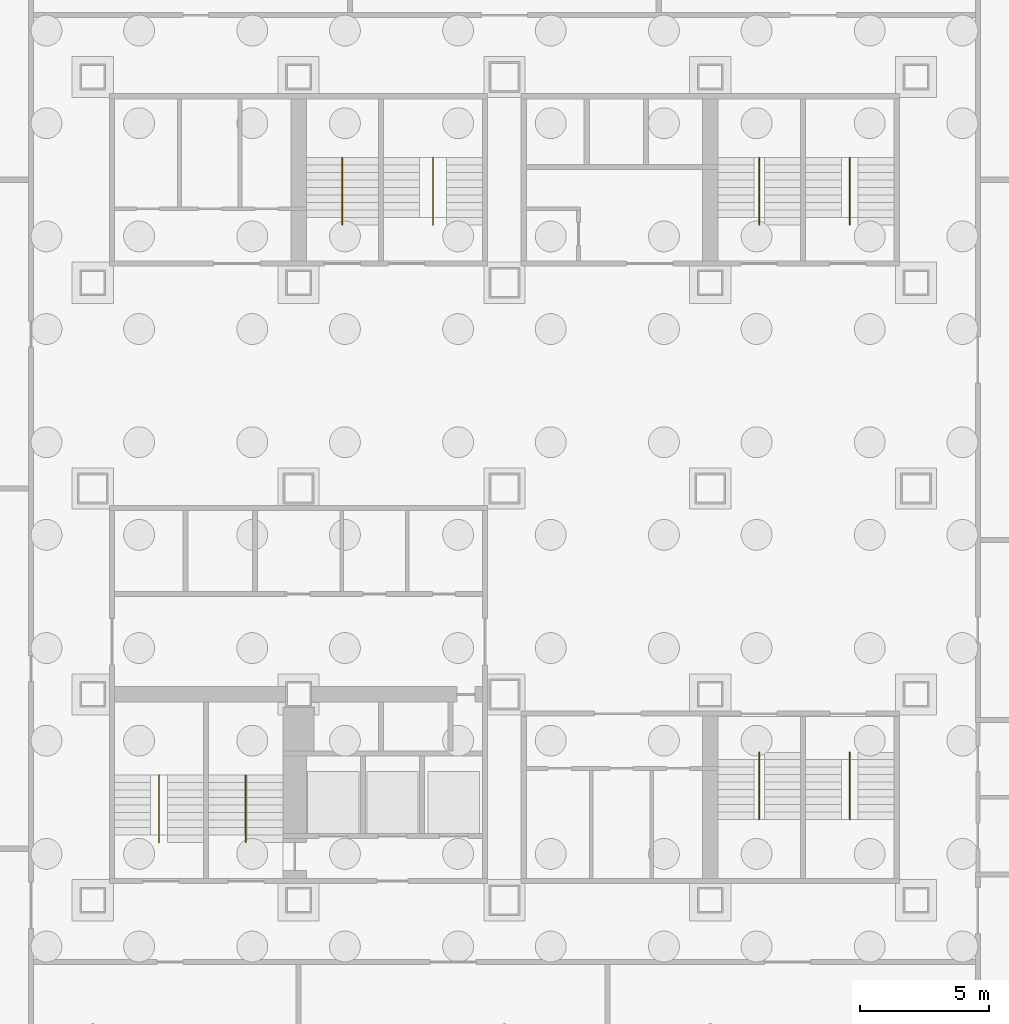
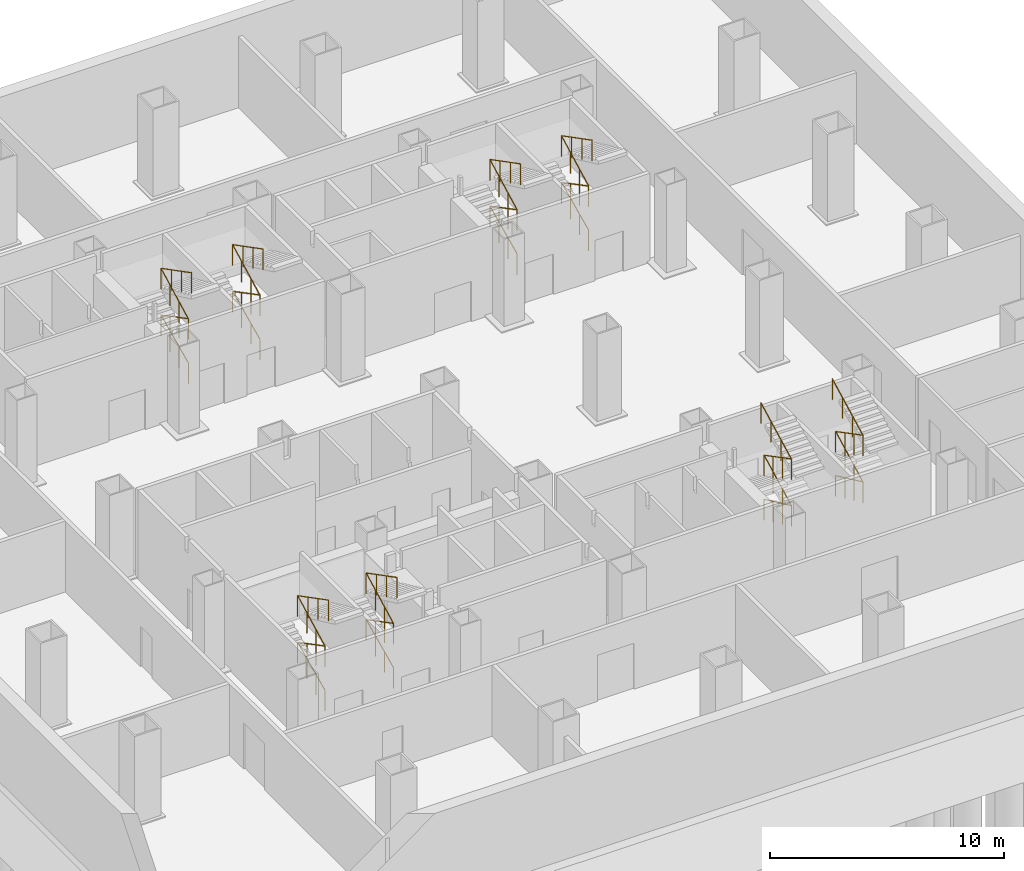
# One storey, part 8 of 9: 8 railings.
"""IFC4 building model written with IfcOpenShell, lengths in metres."""

from ifc_helpers import new_model, si_unit, direction, frame, origin, origin_2d, place, context, subcontext, project, spatial, circle, extrude, material, type_object, element, save


model = new_model("IFC4")

# Units and contexts
model_context = context("Model", 3, precision=1e-05, world=origin(), true_north=direction((0.0, 1.0)))
body_context = subcontext(model_context, "Body", "Model", "MODEL_VIEW")
ifc_project = project(units=[si_unit("LENGTHUNIT", "METRE"), si_unit("AREAUNIT", "SQUARE_METRE"), si_unit("VOLUMEUNIT", "CUBIC_METRE"), si_unit("PLANEANGLEUNIT", "RADIAN"), si_unit("MASSUNIT", "GRAM", prefix="KILO")], contexts=[model_context])

# Site, building, storey
site_placement = place(None, origin())
site = spatial("IfcSite", under=ifc_project, at=site_placement, CompositionType="ELEMENT")
building_placement = place(site_placement, origin())
building = spatial("IfcBuilding", under=site, at=building_placement, Name="Immortelle Media Tower", CompositionType="ELEMENT")
storey_placement = place(building_placement, frame((0.0, 0.0, -5.0)))
storey = spatial("IfcBuildingStorey", under=building, at=storey_placement, Name="B1", CompositionType="ELEMENT", Elevation=-5.0)

# Railings
ifc_material = material(Name="Stainless steel AISI 316", Category="steel")
railing_type = type_object("IfcRailingType", Name="Stair guard 1100", PredefinedType="GUARDRAIL", material=ifc_material)
railing_1_placement = place(storey_placement, frame((10.574951171875, 10.5400390625, 0.13525390625)))
element("IfcRailing", 1, at=railing_1_placement, inside=storey, type_object=railing_type, Name="Stair guard SW1", PredefinedType="GUARDRAIL", context=body_context, shape_type="SweptSolid", body=[
    extrude(circle(Radius=0.02392578125, at=origin_2d()), frame((0.0, 0.0, 1.076171875), z_axis=(0.0, 0.906429103724, 0.422357999715), x_axis=(-1.0, 0.0, 0.0)), (0.0, 0.0, 1.0), 2.5595703125),
    extrude(circle(Radius=0.02392578125, at=origin_2d()), frame((0.0, 2.320068359375, 2.1572265625), z_axis=(0.0, -0.885707454171, 0.464243799771), x_axis=(1.0, 0.0, 0.0)), (0.0, 0.0, 1.0), 2.619384765625),
    extrude(circle(Radius=0.02392578125, at=origin_2d()), frame((0.0, 0.0, 3.373046875), z_axis=(0.0, 0.88566912924, 0.464316910646), x_axis=(-1.0, 0.0, 0.0)), (0.0, 0.0, 1.0), 2.61962890625),
    extrude(circle(Radius=0.02392578125, at=origin_2d()), frame((0.0, 2.320068359375, 4.58935546875), z_axis=(0.0, -0.888042254785, 0.459761844564), x_axis=(1.0, 0.0, 0.0)), (0.0, 0.0, 1.0), 2.939208984375),
    extrude(circle(Radius=0.02099609375, at=origin_2d()), origin(), (0.0, 0.0, 1.0), 1.052001953125),
    extrude(circle(Radius=0.02099609375, at=origin_2d()), frame((0.0, 0.7734375, 0.3603515625)), (0.0, 0.0, 1.0), 1.052001953125),
    extrude(circle(Radius=0.02099609375, at=origin_2d()), frame((0.0, 1.546630859375, 0.720703125)), (0.0, 0.0, 1.0), 1.052001953125),
    extrude(circle(Radius=0.02099609375, at=origin_2d()), frame((0.0, 2.320068359375, 1.0810546875)), (0.0, 0.0, 1.0), 1.052001953125),
    extrude(circle(Radius=0.02099609375, at=origin_2d()), frame((0.0, 1.546630859375, 1.486328125)), (0.0, 0.0, 1.0), 1.052001953125),
    extrude(circle(Radius=0.02099609375, at=origin_2d()), frame((0.0, 0.7734375, 1.891845703125)), (0.0, 0.0, 1.0), 1.052001953125),
    extrude(circle(Radius=0.02099609375, at=origin_2d()), frame((0.0, 0.0, 2.297119140625)), (0.0, 0.0, 1.0), 1.052001953125),
    extrude(circle(Radius=0.02099609375, at=origin_2d()), frame((0.0, 0.7734375, 2.70263671875)), (0.0, 0.0, 1.0), 1.052001953125),
    extrude(circle(Radius=0.02099609375, at=origin_2d()), frame((0.0, 1.546630859375, 3.10791015625)), (0.0, 0.0, 1.0), 1.052001953125),
    extrude(circle(Radius=0.02099609375, at=origin_2d()), frame((0.0, 2.320068359375, 3.513427734375)), (0.0, 0.0, 1.0), 1.052001953125),
    extrude(circle(Radius=0.02099609375, at=origin_2d()), frame((0.0, 1.449951171875, 3.9638671875)), (0.0, 0.0, 1.0), 1.052001953125),
    extrude(circle(Radius=0.02099609375, at=origin_2d()), frame((0.0, 0.580078125, 4.414306640625)), (0.0, 0.0, 1.0), 1.052001953125),
    extrude(circle(Radius=0.02099609375, at=origin_2d()), frame((0.0, -0.2900390625, 4.86474609375)), (0.0, 0.0, 1.0), 1.052001953125),
])
railing_2_placement = place(storey_placement, frame((13.949951171875, 10.5400390625, 0.13525390625)))
element("IfcRailing", 2, at=railing_2_placement, inside=storey, type_object=railing_type, Name="Stair guard SW2", PredefinedType="GUARDRAIL", context=body_context, shape_type="SweptSolid", body=[
    extrude(circle(Radius=0.02392578125, at=origin_2d()), frame((0.0, 0.0, 1.076171875), z_axis=(0.0, 0.906429103724, 0.422357999715), x_axis=(-1.0, 0.0, 0.0)), (0.0, 0.0, 1.0), 2.5595703125),
    extrude(circle(Radius=0.02392578125, at=origin_2d()), frame((0.0, 2.320068359375, 2.1572265625), z_axis=(0.0, -0.885707454171, 0.464243799771), x_axis=(1.0, 0.0, 0.0)), (0.0, 0.0, 1.0), 2.619384765625),
    extrude(circle(Radius=0.02392578125, at=origin_2d()), frame((0.0, 0.0, 3.373046875), z_axis=(0.0, 0.88566912924, 0.464316910646), x_axis=(-1.0, 0.0, 0.0)), (0.0, 0.0, 1.0), 2.61962890625),
    extrude(circle(Radius=0.02392578125, at=origin_2d()), frame((0.0, 2.320068359375, 4.58935546875), z_axis=(0.0, -0.888042254785, 0.459761844564), x_axis=(1.0, 0.0, 0.0)), (0.0, 0.0, 1.0), 2.939208984375),
    extrude(circle(Radius=0.02099609375, at=origin_2d()), origin(), (0.0, 0.0, 1.0), 1.052001953125),
    extrude(circle(Radius=0.02099609375, at=origin_2d()), frame((0.0, 0.7734375, 0.3603515625)), (0.0, 0.0, 1.0), 1.052001953125),
    extrude(circle(Radius=0.02099609375, at=origin_2d()), frame((0.0, 1.546630859375, 0.720703125)), (0.0, 0.0, 1.0), 1.052001953125),
    extrude(circle(Radius=0.02099609375, at=origin_2d()), frame((0.0, 2.320068359375, 1.0810546875)), (0.0, 0.0, 1.0), 1.052001953125),
    extrude(circle(Radius=0.02099609375, at=origin_2d()), frame((0.0, 1.546630859375, 1.486328125)), (0.0, 0.0, 1.0), 1.052001953125),
    extrude(circle(Radius=0.02099609375, at=origin_2d()), frame((0.0, 0.7734375, 1.891845703125)), (0.0, 0.0, 1.0), 1.052001953125),
    extrude(circle(Radius=0.02099609375, at=origin_2d()), frame((0.0, 0.0, 2.297119140625)), (0.0, 0.0, 1.0), 1.052001953125),
    extrude(circle(Radius=0.02099609375, at=origin_2d()), frame((0.0, 0.7734375, 2.70263671875)), (0.0, 0.0, 1.0), 1.052001953125),
    extrude(circle(Radius=0.02099609375, at=origin_2d()), frame((0.0, 1.546630859375, 3.10791015625)), (0.0, 0.0, 1.0), 1.052001953125),
    extrude(circle(Radius=0.02099609375, at=origin_2d()), frame((0.0, 2.320068359375, 3.513427734375)), (0.0, 0.0, 1.0), 1.052001953125),
    extrude(circle(Radius=0.02099609375, at=origin_2d()), frame((0.0, 1.449951171875, 3.9638671875)), (0.0, 0.0, 1.0), 1.052001953125),
    extrude(circle(Radius=0.02099609375, at=origin_2d()), frame((0.0, 0.580078125, 4.414306640625)), (0.0, 0.0, 1.0), 1.052001953125),
    extrude(circle(Radius=0.02099609375, at=origin_2d()), frame((0.0, -0.2900390625, 4.86474609375)), (0.0, 0.0, 1.0), 1.052001953125),
])
railing_3_placement = place(storey_placement, frame((33.89990234375, 13.4599609375, 0.13525390625)))
element("IfcRailing", 3, at=railing_3_placement, inside=storey, type_object=railing_type, Name="Stair guard SE1", PredefinedType="GUARDRAIL", context=body_context, shape_type="SweptSolid", body=[
    extrude(circle(Radius=0.02392578125, at=origin_2d()), frame((0.0, 0.0, 1.076171875), z_axis=(0.0, -0.906429103724, 0.422357999715), x_axis=(1.0, 0.0, 0.0)), (0.0, 0.0, 1.0), 2.5595703125),
    extrude(circle(Radius=0.02392578125, at=origin_2d()), frame((0.0, -2.320068359375, 2.1572265625), z_axis=(0.0, 0.885707454171, 0.464243799771), x_axis=(-1.0, 0.0, 0.0)), (0.0, 0.0, 1.0), 2.619384765625),
    extrude(circle(Radius=0.02392578125, at=origin_2d()), frame((0.0, 0.0, 3.373046875), z_axis=(0.0, -0.88566912924, 0.464316910646), x_axis=(1.0, 0.0, 0.0)), (0.0, 0.0, 1.0), 2.61962890625),
    extrude(circle(Radius=0.02392578125, at=origin_2d()), frame((0.0, -2.320068359375, 4.58935546875), z_axis=(0.0, 0.888042254785, 0.459761844564), x_axis=(-1.0, 0.0, 0.0)), (0.0, 0.0, 1.0), 2.939208984375),
    extrude(circle(Radius=0.02099609375, at=origin_2d()), origin(), (0.0, 0.0, 1.0), 1.052001953125),
    extrude(circle(Radius=0.02099609375, at=origin_2d()), frame((0.0, -0.7734375, 0.3603515625)), (0.0, 0.0, 1.0), 1.052001953125),
    extrude(circle(Radius=0.02099609375, at=origin_2d()), frame((0.0, -1.546630859375, 0.720703125)), (0.0, 0.0, 1.0), 1.052001953125),
    extrude(circle(Radius=0.02099609375, at=origin_2d()), frame((0.0, -2.320068359375, 1.0810546875)), (0.0, 0.0, 1.0), 1.052001953125),
    extrude(circle(Radius=0.02099609375, at=origin_2d()), frame((0.0, -1.546630859375, 1.486328125)), (0.0, 0.0, 1.0), 1.052001953125),
    extrude(circle(Radius=0.02099609375, at=origin_2d()), frame((0.0, -0.7734375, 1.891845703125)), (0.0, 0.0, 1.0), 1.052001953125),
    extrude(circle(Radius=0.02099609375, at=origin_2d()), frame((0.0, 0.0, 2.297119140625)), (0.0, 0.0, 1.0), 1.052001953125),
    extrude(circle(Radius=0.02099609375, at=origin_2d()), frame((0.0, -0.7734375, 2.70263671875)), (0.0, 0.0, 1.0), 1.052001953125),
    extrude(circle(Radius=0.02099609375, at=origin_2d()), frame((0.0, -1.546630859375, 3.10791015625)), (0.0, 0.0, 1.0), 1.052001953125),
    extrude(circle(Radius=0.02099609375, at=origin_2d()), frame((0.0, -2.320068359375, 3.513427734375)), (0.0, 0.0, 1.0), 1.052001953125),
    extrude(circle(Radius=0.02099609375, at=origin_2d()), frame((0.0, -1.449951171875, 3.9638671875)), (0.0, 0.0, 1.0), 1.052001953125),
    extrude(circle(Radius=0.02099609375, at=origin_2d()), frame((0.0, -0.580078125, 4.414306640625)), (0.0, 0.0, 1.0), 1.052001953125),
    extrude(circle(Radius=0.02099609375, at=origin_2d()), frame((0.0, 0.2900390625, 4.86474609375)), (0.0, 0.0, 1.0), 1.052001953125),
])
railing_4_placement = place(storey_placement, frame((37.425048828125, 13.4599609375, 0.13525390625)))
element("IfcRailing", 4, at=railing_4_placement, inside=storey, type_object=railing_type, Name="Stair guard SE2", PredefinedType="GUARDRAIL", context=body_context, shape_type="SweptSolid", body=[
    extrude(circle(Radius=0.02392578125, at=origin_2d()), frame((0.0, 0.0, 1.076171875), z_axis=(0.0, -0.906429103724, 0.422357999715), x_axis=(1.0, 0.0, 0.0)), (0.0, 0.0, 1.0), 2.5595703125),
    extrude(circle(Radius=0.02392578125, at=origin_2d()), frame((0.0, -2.320068359375, 2.1572265625), z_axis=(0.0, 0.885707454171, 0.464243799771), x_axis=(-1.0, 0.0, 0.0)), (0.0, 0.0, 1.0), 2.619384765625),
    extrude(circle(Radius=0.02392578125, at=origin_2d()), frame((0.0, 0.0, 3.373046875), z_axis=(0.0, -0.88566912924, 0.464316910646), x_axis=(1.0, 0.0, 0.0)), (0.0, 0.0, 1.0), 2.61962890625),
    extrude(circle(Radius=0.02392578125, at=origin_2d()), frame((0.0, -2.320068359375, 4.58935546875), z_axis=(0.0, 0.888042254785, 0.459761844564), x_axis=(-1.0, 0.0, 0.0)), (0.0, 0.0, 1.0), 2.939208984375),
    extrude(circle(Radius=0.02099609375, at=origin_2d()), origin(), (0.0, 0.0, 1.0), 1.052001953125),
    extrude(circle(Radius=0.02099609375, at=origin_2d()), frame((0.0, -0.7734375, 0.3603515625)), (0.0, 0.0, 1.0), 1.052001953125),
    extrude(circle(Radius=0.02099609375, at=origin_2d()), frame((0.0, -1.546630859375, 0.720703125)), (0.0, 0.0, 1.0), 1.052001953125),
    extrude(circle(Radius=0.02099609375, at=origin_2d()), frame((0.0, -2.320068359375, 1.0810546875)), (0.0, 0.0, 1.0), 1.052001953125),
    extrude(circle(Radius=0.02099609375, at=origin_2d()), frame((0.0, -1.546630859375, 1.486328125)), (0.0, 0.0, 1.0), 1.052001953125),
    extrude(circle(Radius=0.02099609375, at=origin_2d()), frame((0.0, -0.7734375, 1.891845703125)), (0.0, 0.0, 1.0), 1.052001953125),
    extrude(circle(Radius=0.02099609375, at=origin_2d()), frame((0.0, 0.0, 2.297119140625)), (0.0, 0.0, 1.0), 1.052001953125),
    extrude(circle(Radius=0.02099609375, at=origin_2d()), frame((0.0, -0.7734375, 2.70263671875)), (0.0, 0.0, 1.0), 1.052001953125),
    extrude(circle(Radius=0.02099609375, at=origin_2d()), frame((0.0, -1.546630859375, 3.10791015625)), (0.0, 0.0, 1.0), 1.052001953125),
    extrude(circle(Radius=0.02099609375, at=origin_2d()), frame((0.0, -2.320068359375, 3.513427734375)), (0.0, 0.0, 1.0), 1.052001953125),
    extrude(circle(Radius=0.02099609375, at=origin_2d()), frame((0.0, -1.449951171875, 3.9638671875)), (0.0, 0.0, 1.0), 1.052001953125),
    extrude(circle(Radius=0.02099609375, at=origin_2d()), frame((0.0, -0.580078125, 4.414306640625)), (0.0, 0.0, 1.0), 1.052001953125),
    extrude(circle(Radius=0.02099609375, at=origin_2d()), frame((0.0, 0.2900390625, 4.86474609375)), (0.0, 0.0, 1.0), 1.052001953125),
])
railing_5_placement = place(storey_placement, frame((17.699951171875, 34.5400390625, 0.13525390625)))
element("IfcRailing", 5, at=railing_5_placement, inside=storey, type_object=railing_type, Name="Stair guard NW1", PredefinedType="GUARDRAIL", context=body_context, shape_type="SweptSolid", body=[
    extrude(circle(Radius=0.02392578125, at=origin_2d()), frame((0.0, 0.0, 1.076171875), z_axis=(0.0, 0.906429103724, 0.422357999715), x_axis=(-1.0, 0.0, 0.0)), (0.0, 0.0, 1.0), 2.5595703125),
    extrude(circle(Radius=0.02392578125, at=origin_2d()), frame((0.0, 2.320068359375, 2.1572265625), z_axis=(0.0, -0.885707454171, 0.464243799771), x_axis=(1.0, 0.0, 0.0)), (0.0, 0.0, 1.0), 2.619384765625),
    extrude(circle(Radius=0.02392578125, at=origin_2d()), frame((0.0, 0.0, 3.373046875), z_axis=(0.0, 0.88566912924, 0.464316910646), x_axis=(-1.0, 0.0, 0.0)), (0.0, 0.0, 1.0), 2.61962890625),
    extrude(circle(Radius=0.02392578125, at=origin_2d()), frame((0.0, 2.320068359375, 4.58935546875), z_axis=(0.0, -0.888042254785, 0.459761844564), x_axis=(1.0, 0.0, 0.0)), (0.0, 0.0, 1.0), 2.939208984375),
    extrude(circle(Radius=0.02099609375, at=origin_2d()), origin(), (0.0, 0.0, 1.0), 1.052001953125),
    extrude(circle(Radius=0.02099609375, at=origin_2d()), frame((0.0, 0.7734375, 0.3603515625)), (0.0, 0.0, 1.0), 1.052001953125),
    extrude(circle(Radius=0.02099609375, at=origin_2d()), frame((0.0, 1.546630859375, 0.720703125)), (0.0, 0.0, 1.0), 1.052001953125),
    extrude(circle(Radius=0.02099609375, at=origin_2d()), frame((0.0, 2.320068359375, 1.0810546875)), (0.0, 0.0, 1.0), 1.052001953125),
    extrude(circle(Radius=0.02099609375, at=origin_2d()), frame((0.0, 1.546630859375, 1.486328125)), (0.0, 0.0, 1.0), 1.052001953125),
    extrude(circle(Radius=0.02099609375, at=origin_2d()), frame((0.0, 0.7734375, 1.891845703125)), (0.0, 0.0, 1.0), 1.052001953125),
    extrude(circle(Radius=0.02099609375, at=origin_2d()), frame((0.0, 0.0, 2.297119140625)), (0.0, 0.0, 1.0), 1.052001953125),
    extrude(circle(Radius=0.02099609375, at=origin_2d()), frame((0.0, 0.7734375, 2.70263671875)), (0.0, 0.0, 1.0), 1.052001953125),
    extrude(circle(Radius=0.02099609375, at=origin_2d()), frame((0.0, 1.546630859375, 3.10791015625)), (0.0, 0.0, 1.0), 1.052001953125),
    extrude(circle(Radius=0.02099609375, at=origin_2d()), frame((0.0, 2.320068359375, 3.513427734375)), (0.0, 0.0, 1.0), 1.052001953125),
    extrude(circle(Radius=0.02099609375, at=origin_2d()), frame((0.0, 1.449951171875, 3.9638671875)), (0.0, 0.0, 1.0), 1.052001953125),
    extrude(circle(Radius=0.02099609375, at=origin_2d()), frame((0.0, 0.580078125, 4.414306640625)), (0.0, 0.0, 1.0), 1.052001953125),
    extrude(circle(Radius=0.02099609375, at=origin_2d()), frame((0.0, -0.2900390625, 4.86474609375)), (0.0, 0.0, 1.0), 1.052001953125),
])
railing_6_placement = place(storey_placement, frame((21.22509765625, 34.5400390625, 0.13525390625)))
element("IfcRailing", 6, at=railing_6_placement, inside=storey, type_object=railing_type, Name="Stair guard NW2", PredefinedType="GUARDRAIL", context=body_context, shape_type="SweptSolid", body=[
    extrude(circle(Radius=0.02392578125, at=origin_2d()), frame((0.0, 0.0, 1.076171875), z_axis=(0.0, 0.906429103724, 0.422357999715), x_axis=(-1.0, 0.0, 0.0)), (0.0, 0.0, 1.0), 2.5595703125),
    extrude(circle(Radius=0.02392578125, at=origin_2d()), frame((0.0, 2.320068359375, 2.1572265625), z_axis=(0.0, -0.885707454171, 0.464243799771), x_axis=(1.0, 0.0, 0.0)), (0.0, 0.0, 1.0), 2.619384765625),
    extrude(circle(Radius=0.02392578125, at=origin_2d()), frame((0.0, 0.0, 3.373046875), z_axis=(0.0, 0.88566912924, 0.464316910646), x_axis=(-1.0, 0.0, 0.0)), (0.0, 0.0, 1.0), 2.61962890625),
    extrude(circle(Radius=0.02392578125, at=origin_2d()), frame((0.0, 2.320068359375, 4.58935546875), z_axis=(0.0, -0.888042254785, 0.459761844564), x_axis=(1.0, 0.0, 0.0)), (0.0, 0.0, 1.0), 2.939208984375),
    extrude(circle(Radius=0.02099609375, at=origin_2d()), origin(), (0.0, 0.0, 1.0), 1.052001953125),
    extrude(circle(Radius=0.02099609375, at=origin_2d()), frame((0.0, 0.7734375, 0.3603515625)), (0.0, 0.0, 1.0), 1.052001953125),
    extrude(circle(Radius=0.02099609375, at=origin_2d()), frame((0.0, 1.546630859375, 0.720703125)), (0.0, 0.0, 1.0), 1.052001953125),
    extrude(circle(Radius=0.02099609375, at=origin_2d()), frame((0.0, 2.320068359375, 1.0810546875)), (0.0, 0.0, 1.0), 1.052001953125),
    extrude(circle(Radius=0.02099609375, at=origin_2d()), frame((0.0, 1.546630859375, 1.486328125)), (0.0, 0.0, 1.0), 1.052001953125),
    extrude(circle(Radius=0.02099609375, at=origin_2d()), frame((0.0, 0.7734375, 1.891845703125)), (0.0, 0.0, 1.0), 1.052001953125),
    extrude(circle(Radius=0.02099609375, at=origin_2d()), frame((0.0, 0.0, 2.297119140625)), (0.0, 0.0, 1.0), 1.052001953125),
    extrude(circle(Radius=0.02099609375, at=origin_2d()), frame((0.0, 0.7734375, 2.70263671875)), (0.0, 0.0, 1.0), 1.052001953125),
    extrude(circle(Radius=0.02099609375, at=origin_2d()), frame((0.0, 1.546630859375, 3.10791015625)), (0.0, 0.0, 1.0), 1.052001953125),
    extrude(circle(Radius=0.02099609375, at=origin_2d()), frame((0.0, 2.320068359375, 3.513427734375)), (0.0, 0.0, 1.0), 1.052001953125),
    extrude(circle(Radius=0.02099609375, at=origin_2d()), frame((0.0, 1.449951171875, 3.9638671875)), (0.0, 0.0, 1.0), 1.052001953125),
    extrude(circle(Radius=0.02099609375, at=origin_2d()), frame((0.0, 0.580078125, 4.414306640625)), (0.0, 0.0, 1.0), 1.052001953125),
    extrude(circle(Radius=0.02099609375, at=origin_2d()), frame((0.0, -0.2900390625, 4.86474609375)), (0.0, 0.0, 1.0), 1.052001953125),
])
railing_7_placement = place(storey_placement, frame((33.89990234375, 34.5400390625, 0.13525390625)))
element("IfcRailing", 7, at=railing_7_placement, inside=storey, type_object=railing_type, Name="Stair guard NE1", PredefinedType="GUARDRAIL", context=body_context, shape_type="SweptSolid", body=[
    extrude(circle(Radius=0.02392578125, at=origin_2d()), frame((0.0, 0.0, 1.076171875), z_axis=(0.0, 0.906429103724, 0.422357999715), x_axis=(-1.0, 0.0, 0.0)), (0.0, 0.0, 1.0), 2.5595703125),
    extrude(circle(Radius=0.02392578125, at=origin_2d()), frame((0.0, 2.320068359375, 2.1572265625), z_axis=(0.0, -0.885707454171, 0.464243799771), x_axis=(1.0, 0.0, 0.0)), (0.0, 0.0, 1.0), 2.619384765625),
    extrude(circle(Radius=0.02392578125, at=origin_2d()), frame((0.0, 0.0, 3.373046875), z_axis=(0.0, 0.88566912924, 0.464316910646), x_axis=(-1.0, 0.0, 0.0)), (0.0, 0.0, 1.0), 2.61962890625),
    extrude(circle(Radius=0.02392578125, at=origin_2d()), frame((0.0, 2.320068359375, 4.58935546875), z_axis=(0.0, -0.888042254785, 0.459761844564), x_axis=(1.0, 0.0, 0.0)), (0.0, 0.0, 1.0), 2.939208984375),
    extrude(circle(Radius=0.02099609375, at=origin_2d()), origin(), (0.0, 0.0, 1.0), 1.052001953125),
    extrude(circle(Radius=0.02099609375, at=origin_2d()), frame((0.0, 0.7734375, 0.3603515625)), (0.0, 0.0, 1.0), 1.052001953125),
    extrude(circle(Radius=0.02099609375, at=origin_2d()), frame((0.0, 1.546630859375, 0.720703125)), (0.0, 0.0, 1.0), 1.052001953125),
    extrude(circle(Radius=0.02099609375, at=origin_2d()), frame((0.0, 2.320068359375, 1.0810546875)), (0.0, 0.0, 1.0), 1.052001953125),
    extrude(circle(Radius=0.02099609375, at=origin_2d()), frame((0.0, 1.546630859375, 1.486328125)), (0.0, 0.0, 1.0), 1.052001953125),
    extrude(circle(Radius=0.02099609375, at=origin_2d()), frame((0.0, 0.7734375, 1.891845703125)), (0.0, 0.0, 1.0), 1.052001953125),
    extrude(circle(Radius=0.02099609375, at=origin_2d()), frame((0.0, 0.0, 2.297119140625)), (0.0, 0.0, 1.0), 1.052001953125),
    extrude(circle(Radius=0.02099609375, at=origin_2d()), frame((0.0, 0.7734375, 2.70263671875)), (0.0, 0.0, 1.0), 1.052001953125),
    extrude(circle(Radius=0.02099609375, at=origin_2d()), frame((0.0, 1.546630859375, 3.10791015625)), (0.0, 0.0, 1.0), 1.052001953125),
    extrude(circle(Radius=0.02099609375, at=origin_2d()), frame((0.0, 2.320068359375, 3.513427734375)), (0.0, 0.0, 1.0), 1.052001953125),
    extrude(circle(Radius=0.02099609375, at=origin_2d()), frame((0.0, 1.449951171875, 3.9638671875)), (0.0, 0.0, 1.0), 1.052001953125),
    extrude(circle(Radius=0.02099609375, at=origin_2d()), frame((0.0, 0.580078125, 4.414306640625)), (0.0, 0.0, 1.0), 1.052001953125),
    extrude(circle(Radius=0.02099609375, at=origin_2d()), frame((0.0, -0.2900390625, 4.86474609375)), (0.0, 0.0, 1.0), 1.052001953125),
])
railing_8_placement = place(storey_placement, frame((37.425048828125, 34.5400390625, 0.13525390625)))
element("IfcRailing", 8, at=railing_8_placement, inside=storey, type_object=railing_type, Name="Stair guard NE2", PredefinedType="GUARDRAIL", context=body_context, shape_type="SweptSolid", body=[
    extrude(circle(Radius=0.02392578125, at=origin_2d()), frame((0.0, 0.0, 1.076171875), z_axis=(0.0, 0.906429103724, 0.422357999715), x_axis=(-1.0, 0.0, 0.0)), (0.0, 0.0, 1.0), 2.5595703125),
    extrude(circle(Radius=0.02392578125, at=origin_2d()), frame((0.0, 2.320068359375, 2.1572265625), z_axis=(0.0, -0.885707454171, 0.464243799771), x_axis=(1.0, 0.0, 0.0)), (0.0, 0.0, 1.0), 2.619384765625),
    extrude(circle(Radius=0.02392578125, at=origin_2d()), frame((0.0, 0.0, 3.373046875), z_axis=(0.0, 0.88566912924, 0.464316910646), x_axis=(-1.0, 0.0, 0.0)), (0.0, 0.0, 1.0), 2.61962890625),
    extrude(circle(Radius=0.02392578125, at=origin_2d()), frame((0.0, 2.320068359375, 4.58935546875), z_axis=(0.0, -0.888042254785, 0.459761844564), x_axis=(1.0, 0.0, 0.0)), (0.0, 0.0, 1.0), 2.939208984375),
    extrude(circle(Radius=0.02099609375, at=origin_2d()), origin(), (0.0, 0.0, 1.0), 1.052001953125),
    extrude(circle(Radius=0.02099609375, at=origin_2d()), frame((0.0, 0.7734375, 0.3603515625)), (0.0, 0.0, 1.0), 1.052001953125),
    extrude(circle(Radius=0.02099609375, at=origin_2d()), frame((0.0, 1.546630859375, 0.720703125)), (0.0, 0.0, 1.0), 1.052001953125),
    extrude(circle(Radius=0.02099609375, at=origin_2d()), frame((0.0, 2.320068359375, 1.0810546875)), (0.0, 0.0, 1.0), 1.052001953125),
    extrude(circle(Radius=0.02099609375, at=origin_2d()), frame((0.0, 1.546630859375, 1.486328125)), (0.0, 0.0, 1.0), 1.052001953125),
    extrude(circle(Radius=0.02099609375, at=origin_2d()), frame((0.0, 0.7734375, 1.891845703125)), (0.0, 0.0, 1.0), 1.052001953125),
    extrude(circle(Radius=0.02099609375, at=origin_2d()), frame((0.0, 0.0, 2.297119140625)), (0.0, 0.0, 1.0), 1.052001953125),
    extrude(circle(Radius=0.02099609375, at=origin_2d()), frame((0.0, 0.7734375, 2.70263671875)), (0.0, 0.0, 1.0), 1.052001953125),
    extrude(circle(Radius=0.02099609375, at=origin_2d()), frame((0.0, 1.546630859375, 3.10791015625)), (0.0, 0.0, 1.0), 1.052001953125),
    extrude(circle(Radius=0.02099609375, at=origin_2d()), frame((0.0, 2.320068359375, 3.513427734375)), (0.0, 0.0, 1.0), 1.052001953125),
    extrude(circle(Radius=0.02099609375, at=origin_2d()), frame((0.0, 1.449951171875, 3.9638671875)), (0.0, 0.0, 1.0), 1.052001953125),
    extrude(circle(Radius=0.02099609375, at=origin_2d()), frame((0.0, 0.580078125, 4.414306640625)), (0.0, 0.0, 1.0), 1.052001953125),
    extrude(circle(Radius=0.02099609375, at=origin_2d()), frame((0.0, -0.2900390625, 4.86474609375)), (0.0, 0.0, 1.0), 1.052001953125),
])

save(model, "model.ifc")
